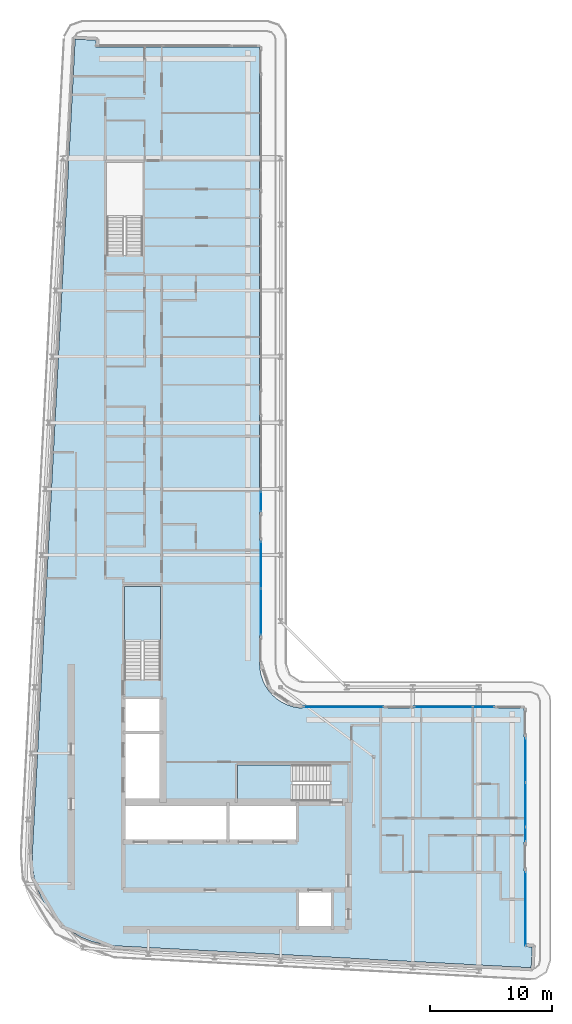
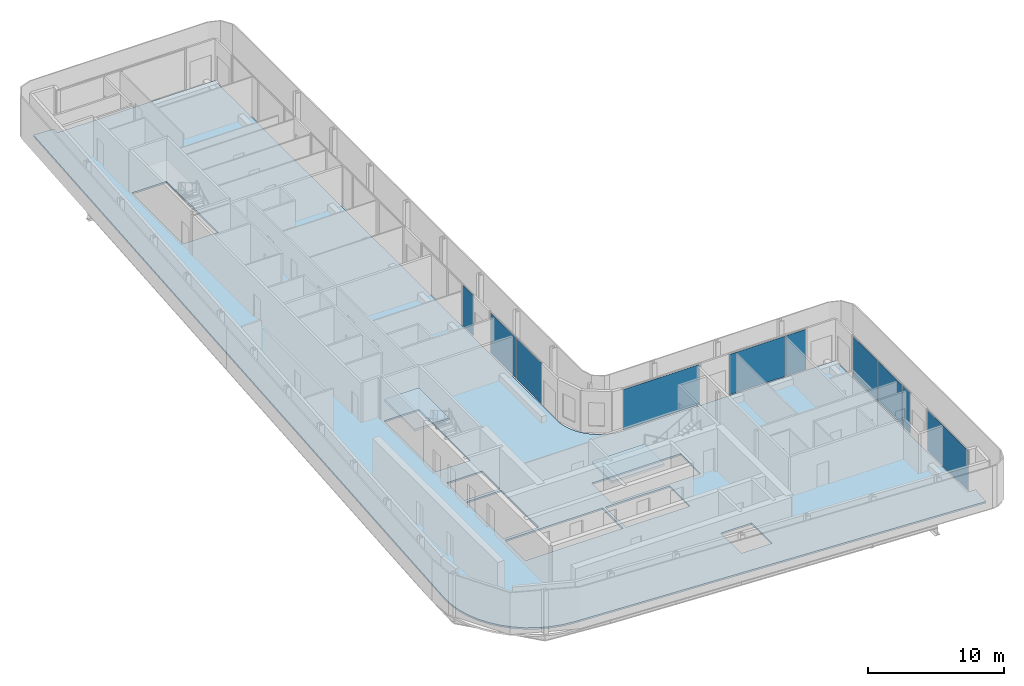
# One storey, part 9 of 21: 10 plates, 3 slabs, 9 elements without a shape of their own.
"""IFC4 building model written with IfcOpenShell, lengths in metres."""

from ifc_helpers import new_model, si_unit, direction, frame, origin, origin_2d, place, context, subcontext, project, spatial, polyline, rectangle, outline, extrude, material, layer, layer_set, type_object, element, aggregate, save


model = new_model("IFC4")

# Units and contexts
model_context = context("Model", 3, precision=1e-05, world=origin(), true_north=direction((0.0, 1.0)))
body_context = subcontext(model_context, "Body", "Model", "MODEL_VIEW")
ifc_project = project(units=[si_unit("LENGTHUNIT", "METRE"), si_unit("AREAUNIT", "SQUARE_METRE"), si_unit("VOLUMEUNIT", "CUBIC_METRE"), si_unit("PLANEANGLEUNIT", "RADIAN"), si_unit("MASSUNIT", "GRAM", prefix="KILO")], contexts=[model_context])

# Site, building, storey
site_placement = place(None, origin())
site = spatial("IfcSite", under=ifc_project, at=site_placement, CompositionType="ELEMENT")
building_placement = place(site_placement, origin())
building = spatial("IfcBuilding", under=site, at=building_placement, Name="Kheshtan School and Residences Tower", CompositionType="ELEMENT")
storey_placement = place(building_placement, frame((0.0, 0.0, 302.0)))
storey = spatial("IfcBuildingStorey", under=building, at=storey_placement, Name="L71", CompositionType="ELEMENT", Elevation=302.0)

# Curtain wall, plate
ifc_material_1 = material(Name="Clear low-e glass in thermally broken aluminium frame", Category="aluminium")
ifc_layer_1 = layer(ifc_material_1, 0.199951171875)
ifc_layer_set_1 = layer_set([ifc_layer_1], Name="Curtain wall CW-L")
curtain_wall_type = type_object("IfcCurtainWallType", Name="Curtain wall CW-L", PredefinedType="NOTDEFINED", material=ifc_layer_set_1)
curtain_wall_1_placement = place(storey_placement, origin())
curtain_wall_1 = element("IfcCurtainWall", 1, at=curtain_wall_1_placement, inside=storey, type_object=curtain_wall_type, Name="Curtain wall CWL8c", PredefinedType="NOTDEFINED")
ifc_layer_2 = layer(ifc_material_1, 0.031982421875)
ifc_layer_set_2 = layer_set([ifc_layer_2], Name="CW-L glass panel")
plate_type = type_object("IfcPlateType", Name="CW-L glass panel", PredefinedType="CURTAIN_PANEL", material=ifc_layer_set_2)
plate_1_placement = place(storey_placement, frame((46.0, 60.777099609375, 0.0), z_axis=(0.0, 0.0, 1.0), x_axis=(0.0, -1.0, 0.0)))
plate_1 = element("IfcPlate", 2, at=plate_1_placement, type_object=plate_type, Name="CWL8c panel 3.1", PredefinedType="CURTAIN_PANEL", context=body_context, shape_type="SweptSolid", body=[
    extrude(rectangle(XDim=1.5859375, YDim=0.031982421875, at=origin_2d()), origin(), (0.0, 0.0, 1.0), 3.6298828125),
])
aggregate(curtain_wall_1, [plate_1])

# Curtain wall, plates
curtain_wall_2_placement = place(storey_placement, origin())
curtain_wall_2 = element("IfcCurtainWall", 3, at=curtain_wall_2_placement, inside=storey, type_object=curtain_wall_type, Name="Curtain wall CWL8", PredefinedType="NOTDEFINED")
plate_2_placement = place(storey_placement, frame((46.0, 55.58544921875, 0.0), z_axis=(0.0, 0.0, 1.0), x_axis=(0.0, -1.0, 0.0)))
plate_2 = element("IfcPlate", 4, at=plate_2_placement, type_object=plate_type, Name="CWL8 panel 1.1", PredefinedType="CURTAIN_PANEL", context=body_context, shape_type="SweptSolid", body=[
    extrude(rectangle(XDim=3.757080078125, YDim=0.031982421875, at=origin_2d()), origin(), (0.0, 0.0, 1.0), 3.6298828125),
])
plate_3_placement = place(storey_placement, frame((46.0, 51.7685546875, 0.0), z_axis=(0.0, 0.0, 1.0), x_axis=(0.0, -1.0, 0.0)))
plate_3 = element("IfcPlate", 5, at=plate_3_placement, type_object=plate_type, Name="CWL8 panel 2.1", PredefinedType="CURTAIN_PANEL", context=body_context, shape_type="SweptSolid", body=[
    extrude(rectangle(XDim=3.757080078125, YDim=0.031982421875, at=origin_2d()), origin(), (0.0, 0.0, 1.0), 3.6298828125),
])
aggregate(curtain_wall_2, [plate_2, plate_3])

# Curtain wall, plate
curtain_wall_3_placement = place(storey_placement, origin())
curtain_wall_3 = element("IfcCurtainWall", 6, at=curtain_wall_3_placement, inside=storey, type_object=curtain_wall_type, Name="Curtain wall CWL1233", PredefinedType="NOTDEFINED")
plate_4_placement = place(storey_placement, frame((52.74755859375, 44.0, 0.0), z_axis=(0.0, 0.0, 1.0), x_axis=(1.0, 0.0, 0.0)))
plate_4 = element("IfcPlate", 7, at=plate_4_placement, type_object=plate_type, Name="CWL1233 panel 1.1", PredefinedType="CURTAIN_PANEL", context=body_context, shape_type="SweptSolid", body=[
    extrude(rectangle(XDim=6.514892578125, YDim=0.031982421875, at=origin_2d()), origin(), (0.0, 0.0, 1.0), 3.6298828125),
])
aggregate(curtain_wall_3, [plate_4])

# Curtain wall, plates
curtain_wall_4_placement = place(storey_placement, origin())
curtain_wall_4 = element("IfcCurtainWall", 8, at=curtain_wall_4_placement, inside=storey, type_object=curtain_wall_type, Name="Curtain wall CWL1234", PredefinedType="NOTDEFINED")
plate_5_placement = place(storey_placement, frame((60.8974609375, 44.0, 0.0), z_axis=(0.0, 0.0, 1.0), x_axis=(1.0, 0.0, 0.0)))
plate_5 = element("IfcPlate", 9, at=plate_5_placement, type_object=plate_type, Name="CWL1234 panel 1.1", PredefinedType="CURTAIN_PANEL", context=body_context, shape_type="SweptSolid", body=[
    extrude(rectangle(XDim=4.7451171875, YDim=0.031982421875, at=origin_2d()), origin(), (0.0, 0.0, 1.0), 3.6298828125),
])
plate_6_placement = place(storey_placement, frame((64.18505859375, 44.0, 0.0), z_axis=(0.0, 0.0, 1.0), x_axis=(1.0, 0.0, 0.0)))
plate_6 = element("IfcPlate", 10, at=plate_6_placement, type_object=plate_type, Name="CWL1234 panel 2.1", PredefinedType="CURTAIN_PANEL", context=body_context, shape_type="SweptSolid", body=[
    extrude(rectangle(XDim=1.7099609375, YDim=0.031982421875, at=origin_2d()), origin(), (0.0, 0.0, 1.0), 3.6298828125),
])
aggregate(curtain_wall_4, [plate_5, plate_6])

curtain_wall_5_placement = place(storey_placement, origin())
curtain_wall_5 = element("IfcCurtainWall", 11, at=curtain_wall_5_placement, inside=storey, type_object=curtain_wall_type, Name="Curtain wall CWL13e", PredefinedType="NOTDEFINED")
plate_7_placement = place(storey_placement, frame((67.60009765625, 39.64990234375, 0.0), z_axis=(0.0, 0.0, 1.0), x_axis=(0.0, -1.0, 0.0)))
plate_7 = element("IfcPlate", 12, at=plate_7_placement, type_object=plate_type, Name="CWL13e panel 1.1", PredefinedType="CURTAIN_PANEL", context=body_context, shape_type="SweptSolid", body=[
    extrude(rectangle(XDim=3.580322265625, YDim=0.031982421875, at=origin_2d()), origin(), (0.0, 0.0, 1.0), 3.6298828125),
])
plate_8_placement = place(storey_placement, frame((67.60009765625, 36.009521484375, 0.0), z_axis=(0.0, 0.0, 1.0), x_axis=(0.0, -1.0, 0.0)))
plate_8 = element("IfcPlate", 13, at=plate_8_placement, type_object=plate_type, Name="CWL13e panel 2.1", PredefinedType="CURTAIN_PANEL", context=body_context, shape_type="SweptSolid", body=[
    extrude(rectangle(XDim=3.580322265625, YDim=0.031982421875, at=origin_2d()), origin(), (0.0, 0.0, 1.0), 3.6298828125),
])
aggregate(curtain_wall_5, [plate_7, plate_8])

# Curtain wall, plate
curtain_wall_6_placement = place(storey_placement, origin())
curtain_wall_6 = element("IfcCurtainWall", 14, at=curtain_wall_6_placement, inside=storey, type_object=curtain_wall_type, Name="Curtain wall CWL13f", PredefinedType="NOTDEFINED")
plate_9_placement = place(storey_placement, frame((67.60009765625, 33.589599609375, 0.0), z_axis=(0.0, 0.0, 1.0), x_axis=(0.0, -1.0, 0.0)))
plate_9 = element("IfcPlate", 15, at=plate_9_placement, type_object=plate_type, Name="CWL13f panel 1.1", PredefinedType="CURTAIN_PANEL", context=body_context, shape_type="SweptSolid", body=[
    extrude(rectangle(XDim=1.139892578125, YDim=0.031982421875, at=origin_2d()), origin(), (0.0, 0.0, 1.0), 3.6298828125),
])
aggregate(curtain_wall_6, [plate_9])

curtain_wall_7_placement = place(storey_placement, origin())
curtain_wall_7 = element("IfcCurtainWall", 16, at=curtain_wall_7_placement, inside=storey, type_object=curtain_wall_type, Name="Curtain wall CWL13g", PredefinedType="NOTDEFINED")
plate_10_placement = place(storey_placement, frame((67.60009765625, 27.4892578125, 0.0), z_axis=(0.0, 0.0, 1.0), x_axis=(0.0, -1.0, 0.0)))
plate_10 = element("IfcPlate", 17, at=plate_10_placement, type_object=plate_type, Name="CWL13g panel 1.1", PredefinedType="CURTAIN_PANEL", context=body_context, shape_type="SweptSolid", body=[
    extrude(rectangle(XDim=6.0205078125, YDim=0.031982421875, at=origin_2d()), origin(), (0.0, 0.0, 1.0), 3.6298828125),
])
aggregate(curtain_wall_7, [plate_10])

# Slab
ifc_material_2 = material(Name="Concrete C40/50", Category="concrete")
ifc_layer_3 = layer(ifc_material_2, 0.14990234375)
ifc_layer_set_3 = layer_set([ifc_layer_3], Name="Floor slab 150 Concrete C40/50")
slab_type_1 = type_object("IfcSlabType", Name="Floor slab 150 Concrete C40/50", PredefinedType="FLOOR", material=ifc_layer_set_3)
slab_1_placement = place(storey_placement, frame((0.0, 0.0, -0.14990234375)))
element("IfcSlab", 18, at=slab_1_placement, inside=storey, type_object=slab_type_1, Name="Floor slab L71", PredefinedType="FLOOR", context=body_context, shape_type="SweptSolid", body=[
    extrude(outline(polyline([(28.55908203125, 27.550048828125), (28.0849609375, 28.345947265625), (27.718017578125, 29.200927734375), (27.466064453125, 30.093017578125), (27.466064453125, 30.093994140625), (27.3330078125, 31.013916015625), (27.320068359375, 31.965087890625), (27.320068359375, 31.970947265625), (30.822021484375, 98.5009765625), (30.822998046875, 98.508056640625), (30.825927734375, 98.531005859375), (30.825927734375, 98.531982421875), (30.826904296875, 98.531982421875), (31.422119140625, 98.5), (31.423095703125, 98.5), (31.423095703125, 98.4990234375), (31.423095703125, 98.4951171875), (31.423095703125, 98.493896484375), (31.424072265625, 98.493896484375), (31.424072265625, 98.492919921875), (31.425048828125, 98.492919921875), (31.426025390625, 98.492919921875), (31.426025390625, 98.493896484375), (31.427978515625, 98.49609375), (31.428955078125, 98.4970703125), (31.429931640625, 98.498046875), (31.430908203125, 98.498046875), (31.430908203125, 98.4990234375), (31.431884765625, 98.4990234375), (31.431884765625, 98.5), (31.43505859375, 98.5009765625), (31.43603515625, 98.501953125), (31.43896484375, 98.501953125), (31.43994140625, 98.501953125), (31.43994140625, 98.5029296875), (31.44091796875, 98.5029296875), (31.446044921875, 98.5029296875), (32.5009765625, 98.447021484375), (32.50390625, 98.447021484375), (32.5048828125, 98.447021484375), (32.5048828125, 98.446044921875), (32.506103515625, 98.446044921875), (32.510009765625, 98.446044921875), (32.510009765625, 98.445068359375), (32.510986328125, 98.445068359375), (32.510986328125, 98.444091796875), (32.511962890625, 98.444091796875), (32.511962890625, 98.443115234375), (32.512939453125, 98.443115234375), (32.513916015625, 98.443115234375), (32.513916015625, 98.44189453125), (32.514892578125, 98.44189453125), (32.51611328125, 98.44189453125), (32.51904296875, 98.43896484375), (32.51904296875, 98.43798828125), (32.51904296875, 98.43701171875), (32.52001953125, 98.43701171875), (32.52001953125, 98.43603515625), (32.52099609375, 98.43603515625), (32.52099609375, 98.43408203125), (32.52099609375, 98.43310546875), (32.52197265625, 98.43310546875), (32.52197265625, 98.431884765625), (32.52294921875, 98.431884765625), (32.52294921875, 98.430908203125), (32.52294921875, 98.428955078125), (32.52294921875, 98.427978515625), (32.52392578125, 98.427978515625), (32.52392578125, 98.427001953125), (32.52392578125, 98.422119140625), (32.4970703125, 97.9208984375), (32.4970703125, 97.91796875), (32.4970703125, 97.9169921875), (32.49609375, 97.9169921875), (32.49609375, 97.916015625), (32.49609375, 97.912109375), (32.4951171875, 97.910888671875), (32.4951171875, 97.909912109375), (32.493896484375, 97.909912109375), (32.493896484375, 97.908935546875), (32.492919921875, 97.908935546875), (32.492919921875, 97.907958984375), (32.489013671875, 97.904052734375), (32.488037109375, 97.904052734375), (32.488037109375, 97.903076171875), (32.488037109375, 97.902099609375), (32.488037109375, 97.90087890625), (32.489013671875, 97.90087890625), (32.489013671875, 97.89990234375), (32.489990234375, 97.89990234375), (45.85498046875, 97.89990234375), (45.864990234375, 97.89794921875), (45.865966796875, 97.89794921875), (45.868896484375, 97.89599609375), (45.8740234375, 97.89404296875), (45.8779296875, 97.89208984375), (45.881103515625, 97.889892578125), (45.881103515625, 97.888916015625), (45.882080078125, 97.888916015625), (45.882080078125, 97.887939453125), (45.883056640625, 97.887939453125), (45.884033203125, 97.885009765625), (45.885009765625, 97.885009765625), (45.885009765625, 97.884033203125), (45.887939453125, 97.883056640625), (45.887939453125, 97.882080078125), (45.888916015625, 97.882080078125), (45.888916015625, 97.881103515625), (45.889892578125, 97.881103515625), (45.89208984375, 97.8779296875), (45.89404296875, 97.8740234375), (45.89599609375, 97.868896484375), (45.89794921875, 97.865966796875), (45.89794921875, 97.864990234375), (45.89990234375, 97.85498046875), (45.89990234375, 47.429931640625), (45.927001953125, 47.030029296875), (46.01806640625, 46.570068359375), (46.01806640625, 46.569091796875), (46.169921875, 46.1201171875), (46.37890625, 45.697021484375), (46.638916015625, 45.30810546875), (46.949951171875, 44.950927734375), (46.950927734375, 44.949951171875), (47.30810546875, 44.638916015625), (47.697021484375, 44.37890625), (48.1201171875, 44.169921875), (48.569091796875, 44.01806640625), (48.570068359375, 44.01806640625), (49.030029296875, 43.927001953125), (49.429931640625, 43.89990234375), (67.455078125, 43.89990234375), (67.4599609375, 43.89892578125), (67.465087890625, 43.89794921875), (67.466064453125, 43.89794921875), (67.468994140625, 43.89599609375), (67.47412109375, 43.89404296875), (67.47802734375, 43.89208984375), (67.48095703125, 43.889892578125), (67.48095703125, 43.888916015625), (67.48193359375, 43.888916015625), (67.48193359375, 43.887939453125), (67.48291015625, 43.887939453125), (67.48388671875, 43.885009765625), (67.485107421875, 43.885009765625), (67.485107421875, 43.884033203125), (67.488037109375, 43.883056640625), (67.488037109375, 43.882080078125), (67.489013671875, 43.882080078125), (67.489013671875, 43.881103515625), (67.489990234375, 43.881103515625), (67.491943359375, 43.8779296875), (67.493896484375, 43.8740234375), (67.49609375, 43.868896484375), (67.498046875, 43.865966796875), (67.498046875, 43.864990234375), (67.4990234375, 43.860107421875), (67.5, 43.85498046875), (67.5, 24.4140625), (67.5, 24.4130859375), (67.5009765625, 24.4130859375), (67.5009765625, 24.412109375), (67.501953125, 24.412109375), (67.5029296875, 24.412109375), (67.5029296875, 24.4130859375), (67.5048828125, 24.4150390625), (67.507080078125, 24.4169921875), (67.508056640625, 24.4169921875), (67.508056640625, 24.41796875), (67.509033203125, 24.41796875), (67.509033203125, 24.4189453125), (67.510009765625, 24.4189453125), (67.511962890625, 24.419921875), (67.512939453125, 24.4208984375), (67.51611328125, 24.4208984375), (67.51708984375, 24.4208984375), (67.51708984375, 24.422119140625), (67.51806640625, 24.422119140625), (67.52294921875, 24.422119140625), (68.137939453125, 24.388916015625), (68.14111328125, 24.388916015625), (68.14208984375, 24.388916015625), (68.14208984375, 24.387939453125), (68.14306640625, 24.387939453125), (68.14697265625, 24.387939453125), (68.14697265625, 24.386962890625), (68.14794921875, 24.386962890625), (68.14794921875, 24.385986328125), (68.14892578125, 24.385986328125), (68.14892578125, 24.385009765625), (68.14990234375, 24.385009765625), (68.15087890625, 24.385009765625), (68.15087890625, 24.384033203125), (68.152099609375, 24.384033203125), (68.153076171875, 24.384033203125), (68.153076171875, 24.383056640625), (68.155029296875, 24.381103515625), (68.156005859375, 24.381103515625), (68.156005859375, 24.3798828125), (68.156005859375, 24.37890625), (68.156982421875, 24.37890625), (68.156982421875, 24.3779296875), (68.157958984375, 24.3779296875), (68.157958984375, 24.3759765625), (68.157958984375, 24.375), (68.158935546875, 24.375), (68.158935546875, 24.3740234375), (68.159912109375, 24.3740234375), (68.159912109375, 24.373046875), (68.159912109375, 24.37109375), (68.159912109375, 24.3701171875), (68.160888671875, 24.3701171875), (68.160888671875, 24.368896484375), (68.160888671875, 24.364013671875), (68.10498046875, 23.306884765625), (68.10498046875, 23.303955078125), (68.10498046875, 23.302978515625), (68.10400390625, 23.302978515625), (68.10400390625, 23.302001953125), (68.10400390625, 23.298095703125), (68.10302734375, 23.297119140625), (68.10302734375, 23.2958984375), (68.10205078125, 23.2958984375), (68.10205078125, 23.294921875), (68.10107421875, 23.294921875), (68.10107421875, 23.2939453125), (68.10009765625, 23.29296875), (68.097900390625, 23.291015625), (68.096923828125, 23.2900390625), (68.095947265625, 23.2900390625), (68.095947265625, 23.2890625), (68.095947265625, 23.2880859375), (68.095947265625, 23.287109375), (68.096923828125, 23.287109375), (68.096923828125, 23.285888671875), (68.097900390625, 23.285888671875), (68.09912109375, 23.285888671875), (68.10009765625, 23.285888671875), (68.10009765625, 23.284912109375), (68.068115234375, 22.68994140625), (68.068115234375, 22.68896484375), (68.06689453125, 22.68896484375), (68.04296875, 22.68798828125), (68.0380859375, 22.68798828125), (34.056884765625, 24.47802734375), (33.114990234375, 24.590087890625), (32.215087890625, 24.819091796875), (32.214111328125, 24.819091796875), (31.35205078125, 25.1630859375), (30.541015625, 25.616943359375), (29.799072265625, 26.1708984375), (29.799072265625, 26.172119140625), (29.798095703125, 26.172119140625), (29.134033203125, 26.820068359375), (29.134033203125, 26.821044921875), (29.133056640625, 26.821044921875), (28.55908203125, 27.550048828125)]), holes=[polyline([(67.5009765625, 23.29296875), (67.5, 23.29296875), (67.5, 23.2919921875), (67.5, 23.2880859375), (67.5, 23.287109375), (67.5009765625, 23.287109375), (67.5009765625, 23.285888671875), (67.501953125, 23.285888671875), (67.506103515625, 23.285888671875), (67.507080078125, 23.285888671875), (67.507080078125, 23.287109375), (67.508056640625, 23.287109375), (67.508056640625, 23.2880859375), (67.508056640625, 23.2890625), (67.507080078125, 23.2890625), (67.506103515625, 23.2900390625), (67.5048828125, 23.291015625), (67.5029296875, 23.29296875), (67.5029296875, 23.2939453125), (67.501953125, 23.2939453125), (67.5009765625, 23.2939453125), (67.5009765625, 23.29296875)]), polyline([(31.424072265625, 97.906982421875), (31.423095703125, 97.906982421875), (31.423095703125, 97.906005859375), (31.423095703125, 97.902099609375), (31.423095703125, 97.90087890625), (31.424072265625, 97.90087890625), (31.424072265625, 97.89990234375), (31.425048828125, 97.89990234375), (31.428955078125, 97.89990234375), (31.429931640625, 97.89990234375), (31.429931640625, 97.90087890625), (31.430908203125, 97.90087890625), (31.430908203125, 97.902099609375), (31.430908203125, 97.903076171875), (31.429931640625, 97.903076171875), (31.428955078125, 97.904052734375), (31.427978515625, 97.905029296875), (31.427001953125, 97.906005859375), (31.426025390625, 97.906982421875), (31.426025390625, 97.907958984375), (31.425048828125, 97.907958984375), (31.424072265625, 97.907958984375), (31.424072265625, 97.906982421875)]), polyline([(51.72509765625, 28.925048828125), (49.125, 28.925048828125), (49.125, 25.925048828125), (51.72509765625, 25.925048828125), (51.72509765625, 28.925048828125)]), polyline([(43.175048828125, 33.074951171875), (43.175048828125, 36.074951171875), (34.875, 36.074951171875), (34.875, 33.074951171875), (43.175048828125, 33.074951171875)]), polyline([(43.425048828125, 36.074951171875), (43.425048828125, 33.074951171875), (48.875, 33.074951171875), (48.875, 36.074951171875), (43.425048828125, 36.074951171875)]), polyline([(51.64990234375, 37.699951171875), (51.64990234375, 39.25), (44.090087890625, 39.25), (44.090087890625, 36.300048828125), (51.639892578125, 36.300048828125), (51.639892578125, 37.699951171875), (51.64990234375, 37.699951171875)]), polyline([(37.875, 41.77490234375), (34.875, 41.77490234375), (34.875, 36.324951171875), (37.875, 36.324951171875), (37.875, 41.77490234375)]), polyline([(37.875, 44.625), (34.875, 44.625), (34.875, 42.02490234375), (37.875, 42.02490234375), (37.875, 44.625)]), polyline([(37.800048828125, 53.81005859375), (34.85009765625, 53.81005859375), (34.85009765625, 46.260009765625), (36.25, 46.260009765625), (36.25, 46.25), (37.800048828125, 46.25), (37.800048828125, 53.81005859375)]), polyline([(36.35009765625, 88.4599609375), (33.39990234375, 88.4599609375), (33.39990234375, 80.909912109375), (34.800048828125, 80.909912109375), (34.800048828125, 80.89990234375), (36.35009765625, 80.89990234375), (36.35009765625, 88.4599609375)])]), origin(), (0.0, 0.0, 1.0), 0.14990234375),
])

# Stair, slab
stair_type = type_object("IfcStairType", Name="Exit stair, half-turn", PredefinedType="HALF_TURN_STAIR", material=ifc_material_2)
stair_1_placement = place(storey_placement, origin())
stair_1 = element("IfcStair", 19, at=stair_1_placement, inside=storey, type_object=stair_type, Name="L71 Protected Exit Stair ST1", PredefinedType="HALF_TURN_STAIR")
ifc_layer_4 = layer(ifc_material_2, 0.199951171875)
ifc_layer_set_4 = layer_set([ifc_layer_4], Name="Stair landing 200 Concrete C40/50")
slab_type_2 = type_object("IfcSlabType", Name="Stair landing 200 Concrete C40/50", PredefinedType="LANDING", material=ifc_layer_set_4)
slab_2_placement = place(storey_placement, frame((0.0, 0.0, 1.75)))
slab_2 = element("IfcSlab", 20, at=slab_2_placement, type_object=slab_type_2, Name="ST1 landing 1", PredefinedType="LANDING", context=body_context, shape_type="SweptSolid", body=[
    extrude(outline(polyline([(48.570068359375, 39.25), (44.090087890625, 39.25), (44.090087890625, 36.300048828125), (48.570068359375, 36.300048828125), (48.570068359375, 39.25)])), origin(), (0.0, 0.0, 1.0), 0.199951171875),
])
aggregate(stair_1, [slab_2])

stair_2_placement = place(storey_placement, origin())
stair_2 = element("IfcStair", 21, at=stair_2_placement, inside=storey, type_object=stair_type, Name="L71 Protected Exit Stair ST2", PredefinedType="HALF_TURN_STAIR")
slab_3_placement = place(storey_placement, frame((0.0, 0.0, 1.75)))
slab_3 = element("IfcSlab", 22, at=slab_3_placement, type_object=slab_type_2, Name="ST2 landing 1", PredefinedType="LANDING", context=body_context, shape_type="SweptSolid", body=[
    extrude(outline(polyline([(37.800048828125, 49.330078125), (37.800048828125, 53.81005859375), (34.85009765625, 53.81005859375), (34.85009765625, 49.330078125), (37.800048828125, 49.330078125)])), origin(), (0.0, 0.0, 1.0), 0.199951171875),
])
aggregate(stair_2, [slab_3])

save(model, "model.ifc")
